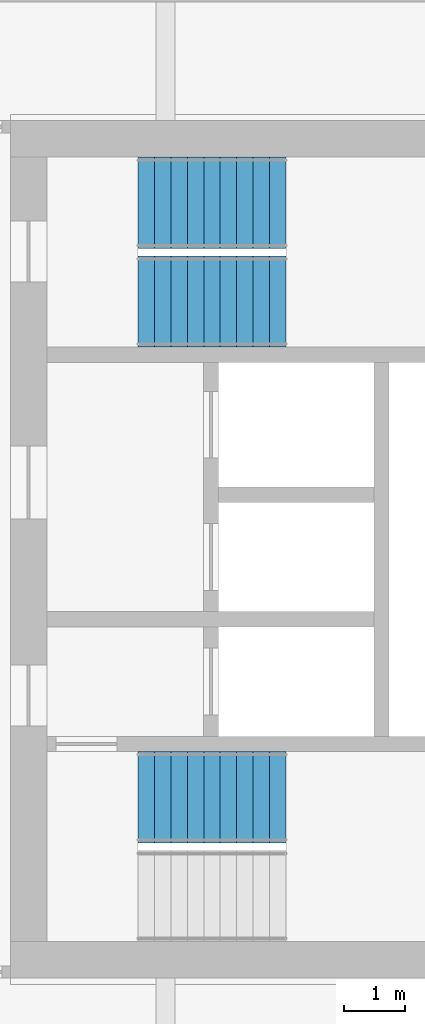
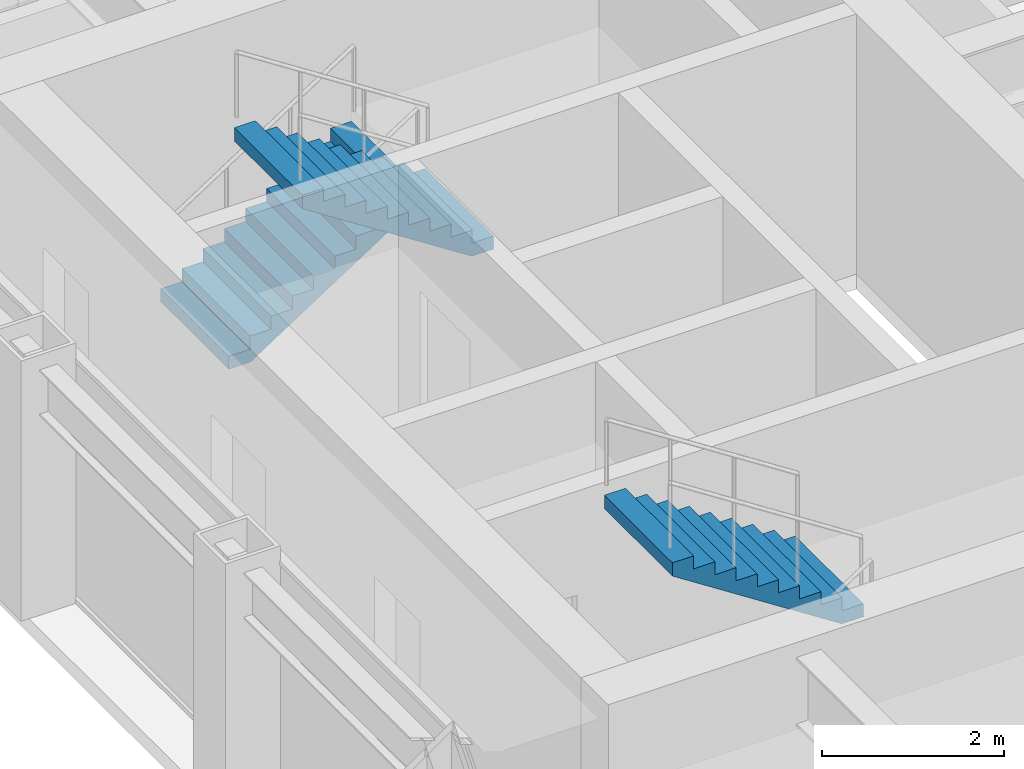
# One storey, part 16 of 21: 3 stair flights, 2 elements without a shape of their own.
"""IFC4 building model written with IfcOpenShell, lengths in metres."""

from ifc_helpers import new_model, si_unit, direction, frame, origin, place, context, subcontext, project, spatial, polyline, outline, extrude, material, type_object, element, aggregate, save


model = new_model("IFC4")

# Units and contexts
model_context = context("Model", 3, precision=1e-05, world=origin(), true_north=direction((0.0, 1.0)))
body_context = subcontext(model_context, "Body", "Model", "MODEL_VIEW")
ifc_project = project(units=[si_unit("LENGTHUNIT", "METRE"), si_unit("AREAUNIT", "SQUARE_METRE"), si_unit("VOLUMEUNIT", "CUBIC_METRE"), si_unit("PLANEANGLEUNIT", "RADIAN"), si_unit("MASSUNIT", "GRAM", prefix="KILO")], contexts=[model_context])

# Site, building, storey
site_placement = place(None, origin())
site = spatial("IfcSite", under=ifc_project, at=site_placement, CompositionType="ELEMENT")
building_placement = place(site_placement, origin())
building = spatial("IfcBuilding", under=site, at=building_placement, Name="Msasa Ring Tower", CompositionType="ELEMENT")
storey_placement = place(building_placement, frame((0.0, 0.0, 82.5)))
storey = spatial("IfcBuildingStorey", under=building, at=storey_placement, Name="L21", CompositionType="ELEMENT", Elevation=82.5)

# Stair, stair flight
ifc_material_1 = material(Name="Concrete C40/50", Category="concrete")
stair_type = type_object("IfcStairType", Name="STC CORE STAIR 20 RISERS 175", PredefinedType="HALF_TURN_STAIR", material=ifc_material_1)
stair_1_placement = place(storey_placement, origin())
stair_1 = element("IfcStair", 1, at=stair_1_placement, inside=storey, type_object=stair_type, Name="Core stair SEA L21", PredefinedType="HALF_TURN_STAIR")
ifc_material_2 = material(Name="Concrete C40/50", Category="concrete")
stair_flight_type = type_object("IfcStairFlightType", Name="ST12 CORE STAIR FLIGHT 1500 10 RISERS 175", PredefinedType="STRAIGHT", material=ifc_material_2)
stair_flight_1_placement = place(storey_placement, frame((13.22998046875, -4.074951171875, 1.75), z_axis=(0.0, 0.0, 1.0), x_axis=(-1.0, 0.0, 0.0)))
stair_flight_1 = element("IfcStairFlight", 2, at=stair_flight_1_placement, type_object=stair_flight_type, Name="SEA flight 2", NumberOfRisers=10, NumberOfTreads=9, PredefinedType="STRAIGHT", RiserHeight=0.175, TreadLength=0.27, context=body_context, shape_type="SweptSolid", body=[
    extrude(outline(polyline([(0.0, 0.0), (0.0, 0.175048828125), (0.27001953125, 0.175048828125), (0.27001953125, 0.35009765625), (0.5400390625, 0.35009765625), (0.5400390625, 0.52490234375), (0.81005859375, 0.52490234375), (0.81005859375, 0.699951171875), (1.080078125, 0.699951171875), (1.080078125, 0.875), (1.35009765625, 0.875), (1.35009765625, 1.050048828125), (1.6201171875, 1.050048828125), (1.6201171875, 1.22509765625), (1.889892578125, 1.22509765625), (1.889892578125, 1.39990234375), (2.159912109375, 1.39990234375), (2.159912109375, 1.574951171875), (2.429931640625, 1.574951171875), (2.429931640625, 1.75), (2.429931640625, 1.396484375), (0.275634765625, 0.0), (0.0, 0.0)])), frame((0.0, 0.75, 0.0), z_axis=(0.0, -1.0, 0.0), x_axis=(1.0, 0.0, 0.0)), (0.0, 0.0, 1.0), 1.5),
])
aggregate(stair_1, [stair_flight_1])

# Stair, stair flights
stair_2_placement = place(storey_placement, origin())
stair_2 = element("IfcStair", 3, at=stair_2_placement, inside=storey, type_object=stair_type, Name="Core stair SEB L21", PredefinedType="HALF_TURN_STAIR")
stair_flight_2_placement = place(storey_placement, frame((10.800048828125, 5.699951171875, 0.0), z_axis=(0.0, 0.0, 1.0), x_axis=(1.0, 0.0, 0.0)))
stair_flight_2 = element("IfcStairFlight", 4, at=stair_flight_2_placement, type_object=stair_flight_type, Name="SEB flight 1", NumberOfRisers=10, NumberOfTreads=9, PredefinedType="STRAIGHT", RiserHeight=0.175, TreadLength=0.27, context=body_context, shape_type="SweptSolid", body=[
    extrude(outline(polyline([(0.0, 0.0), (0.0, 0.175048828125), (0.27001953125, 0.175048828125), (0.27001953125, 0.35009765625), (0.5400390625, 0.35009765625), (0.5400390625, 0.52490234375), (0.81005859375, 0.52490234375), (0.81005859375, 0.699951171875), (1.080078125, 0.699951171875), (1.080078125, 0.875), (1.35009765625, 0.875), (1.35009765625, 1.050048828125), (1.6201171875, 1.050048828125), (1.6201171875, 1.22509765625), (1.889892578125, 1.22509765625), (1.889892578125, 1.39990234375), (2.159912109375, 1.39990234375), (2.159912109375, 1.574951171875), (2.429931640625, 1.574951171875), (2.429931640625, 1.75), (2.429931640625, 1.396484375), (0.275634765625, 0.0), (0.0, 0.0)])), frame((0.0, 0.75, 0.0), z_axis=(0.0, -1.0, 0.0), x_axis=(1.0, 0.0, 0.0)), (0.0, 0.0, 1.0), 1.5),
])
stair_flight_3_placement = place(storey_placement, frame((13.22998046875, 4.074951171875, 1.75), z_axis=(0.0, 0.0, 1.0), x_axis=(-1.0, 0.0, 0.0)))
stair_flight_3 = element("IfcStairFlight", 5, at=stair_flight_3_placement, type_object=stair_flight_type, Name="SEB flight 2", NumberOfRisers=10, NumberOfTreads=9, PredefinedType="STRAIGHT", RiserHeight=0.175, TreadLength=0.27, context=body_context, shape_type="SweptSolid", body=[
    extrude(outline(polyline([(0.0, 0.0), (0.0, 0.175048828125), (0.27001953125, 0.175048828125), (0.27001953125, 0.35009765625), (0.5400390625, 0.35009765625), (0.5400390625, 0.52490234375), (0.81005859375, 0.52490234375), (0.81005859375, 0.699951171875), (1.080078125, 0.699951171875), (1.080078125, 0.875), (1.35009765625, 0.875), (1.35009765625, 1.050048828125), (1.6201171875, 1.050048828125), (1.6201171875, 1.22509765625), (1.889892578125, 1.22509765625), (1.889892578125, 1.39990234375), (2.159912109375, 1.39990234375), (2.159912109375, 1.574951171875), (2.429931640625, 1.574951171875), (2.429931640625, 1.75), (2.429931640625, 1.396484375), (0.275634765625, 0.0), (0.0, 0.0)])), frame((0.0, 0.75, 0.0), z_axis=(0.0, -1.0, 0.0), x_axis=(1.0, 0.0, 0.0)), (0.0, 0.0, 1.0), 1.5),
])
aggregate(stair_2, [stair_flight_2, stair_flight_3])

save(model, "model.ifc")
